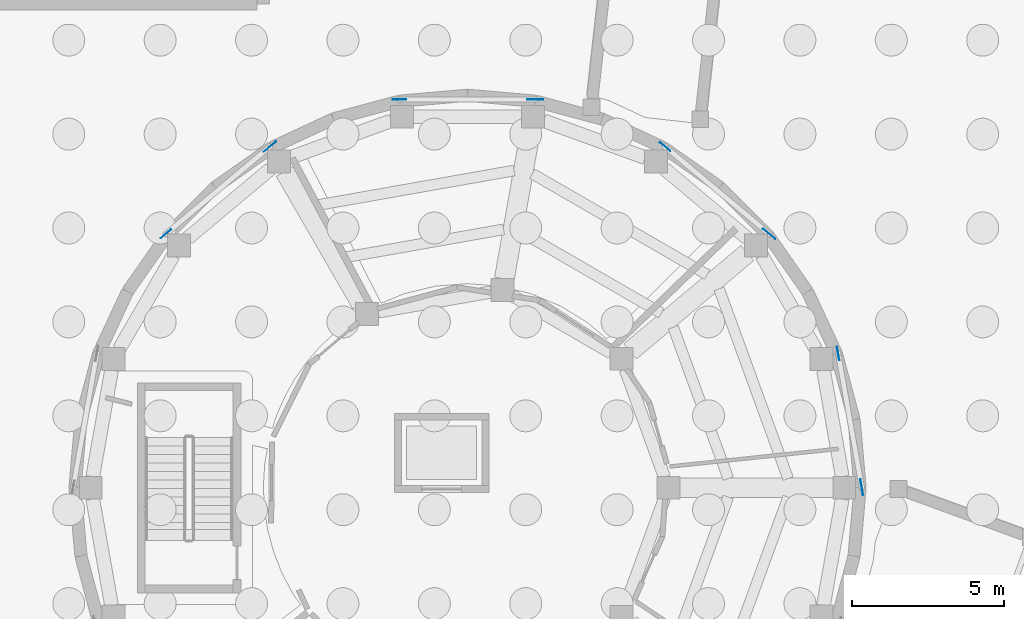
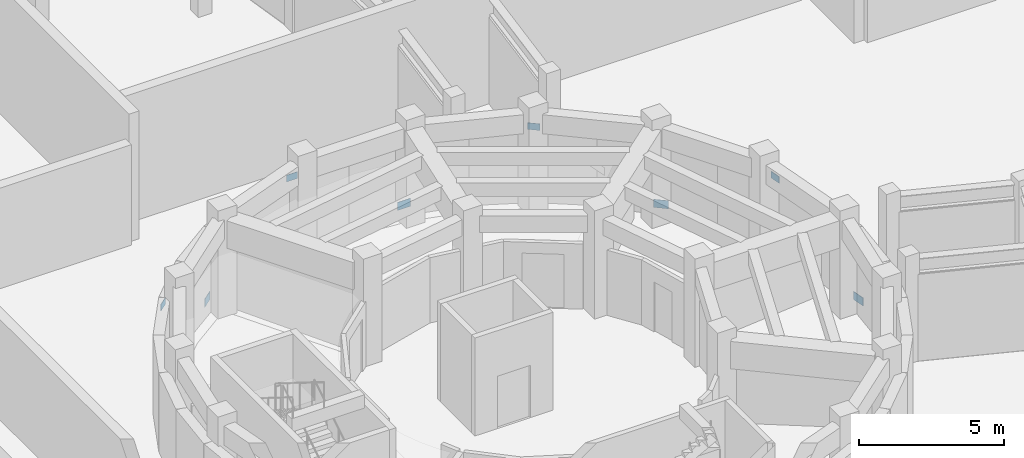
# One storey, part 24 of 57: 8 plates.
"""IFC4 building model written with IfcOpenShell, lengths in metres."""

from ifc_helpers import new_model, si_unit, direction, frame, origin, origin_2d, place, context, subcontext, project, spatial, rectangle, extrude, material, layer, layer_set, type_object, element, save


model = new_model("IFC4")

# Units and contexts
model_context = context("Model", 3, precision=1e-05, world=origin(), true_north=direction((0.0, 1.0)))
body_context = subcontext(model_context, "Body", "Model", "MODEL_VIEW")
ifc_project = project(units=[si_unit("LENGTHUNIT", "METRE"), si_unit("AREAUNIT", "SQUARE_METRE"), si_unit("VOLUMEUNIT", "CUBIC_METRE"), si_unit("PLANEANGLEUNIT", "RADIAN"), si_unit("MASSUNIT", "GRAM", prefix="KILO")], contexts=[model_context])

# Site, building, storey
site_placement = place(None, origin())
site = spatial("IfcSite", under=ifc_project, at=site_placement, CompositionType="ELEMENT")
building_placement = place(site_placement, origin())
building = spatial("IfcBuilding", under=site, at=building_placement, Name="Aldenvaro Health Centre", CompositionType="ELEMENT")
storey_placement = place(building_placement, frame((0.0, 0.0, -4.550048828125)))
storey = spatial("IfcBuildingStorey", under=building, at=storey_placement, Name="B1", CompositionType="ELEMENT", Elevation=-4.550048828125)

# Plates
ifc_material = material(Name="Steel ASTM A572 Grade 50", Category="steel")
ifc_layer_1 = layer(ifc_material, 0.01806640625, Name="Steel ASTM A572 Grade 50", Category="steel")
ifc_layer_set_1 = layer_set([ifc_layer_1], Name="Steel ASTM A572 Grade 50")
plate_type_1 = type_object("IfcPlateType", Name="PLT-GUS-02", PredefinedType="SHEET", material=ifc_layer_set_1)
for number, where, z_axis, x_axis, name in (
    (1, (31.45703125, 18.52001953125, 0.1298828125), (0.0, 0.0, 1.0), (-0.173957555573, 0.984753151231, 0.0), "D5 B1 brace end gusset 1.B"),
    (2, (28.4130859375, 26.843994140625, 0.1298828125), (0.0, 0.0, 1.0), (-0.766156619053, 0.64265389992, 0.0), "D5 B1 brace end gusset 3.B"),
    (3, (20.72998046875, 31.262939453125, 0.1298828125), (0.0, 0.0, 1.0), (-1.0, 0.0, 0.0), "D5 B1 brace end gusset 5.B"),
    (4, (12.0048828125, 29.7109375, 0.1298828125), (0.0, 0.0, 1.0), (-0.766156619053, -0.64265389992, 0.0), "D5 B1 brace end gusset 7.B"),
):
    element("IfcPlate", number, at=place(storey_placement, frame(where, z_axis=z_axis, x_axis=x_axis)), inside=storey, type_object=plate_type_1, Name=name, PredefinedType="SHEET", context=body_context, shape_type="SweptSolid", body=[
        extrude(rectangle(XDim=0.52001953125, YDim=0.01806640625, at=origin_2d()), origin(), (0.0, 0.0, 1.0), 0.340087890625),
    ])
ifc_layer_2 = layer(ifc_material, 0.01611328125, Name="Steel ASTM A572 Grade 50", Category="steel")
ifc_layer_set_2 = layer_set([ifc_layer_2], Name="Steel ASTM A572 Grade 50")
plate_type_2 = type_object("IfcPlateType", Name="PLT-GUS-03", PredefinedType="SHEET", material=ifc_layer_set_2)
for number, where, z_axis, x_axis, name in (
    (5, (30.680908203125, 22.9130859375, 2.8779296875), (0.0, 0.0, 1.0), (-0.173957555573, 0.984753151231, 0.0), "D5 B1 brace end gusset 1.T"),
    (6, (24.9951171875, 29.7109375, 2.8779296875), (0.0, 0.0, 1.0), (-0.766156619053, 0.64265389992, 0.0), "D5 B1 brace end gusset 3.T"),
    (7, (16.27001953125, 31.262939453125, 2.8779296875), (0.0, 0.0, 1.0), (-1.0, 0.0, 0.0), "D5 B1 brace end gusset 5.T"),
    (8, (8.5869140625, 26.843994140625, 2.8779296875), (0.0, 0.0, 1.0), (-0.766156619053, -0.64265389992, 0.0), "D5 B1 brace end gusset 7.T"),
):
    element("IfcPlate", number, at=place(storey_placement, frame(where, z_axis=z_axis, x_axis=x_axis)), inside=storey, type_object=plate_type_2, Name=name, PredefinedType="SHEET", context=body_context, shape_type="SweptSolid", body=[
        extrude(rectangle(XDim=0.43994140625, YDim=0.01611328125, at=origin_2d()), origin(), (0.0, 0.0, 1.0), 0.280029296875),
    ])

save(model, "model.ifc")
